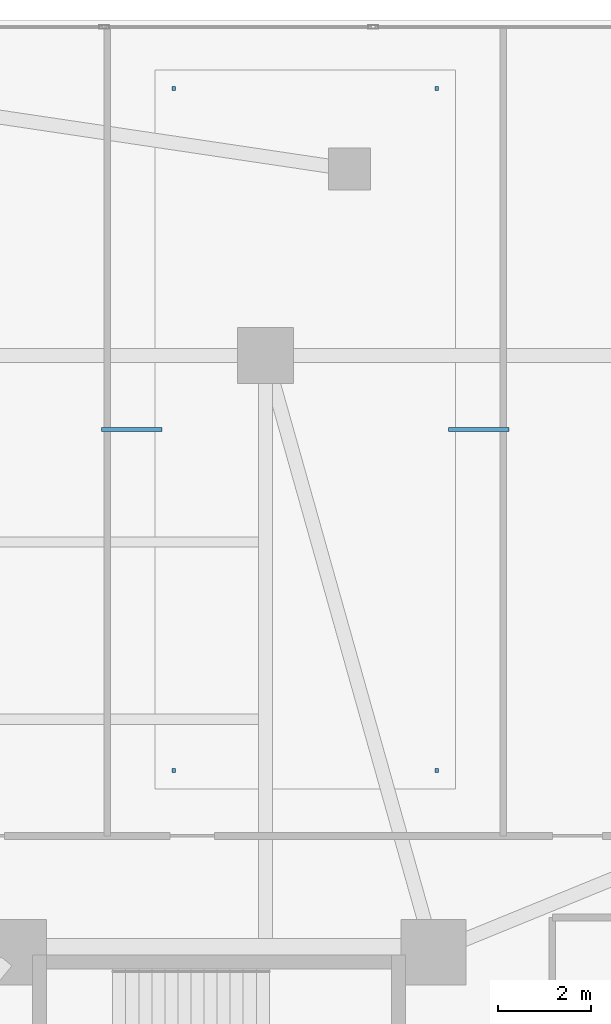
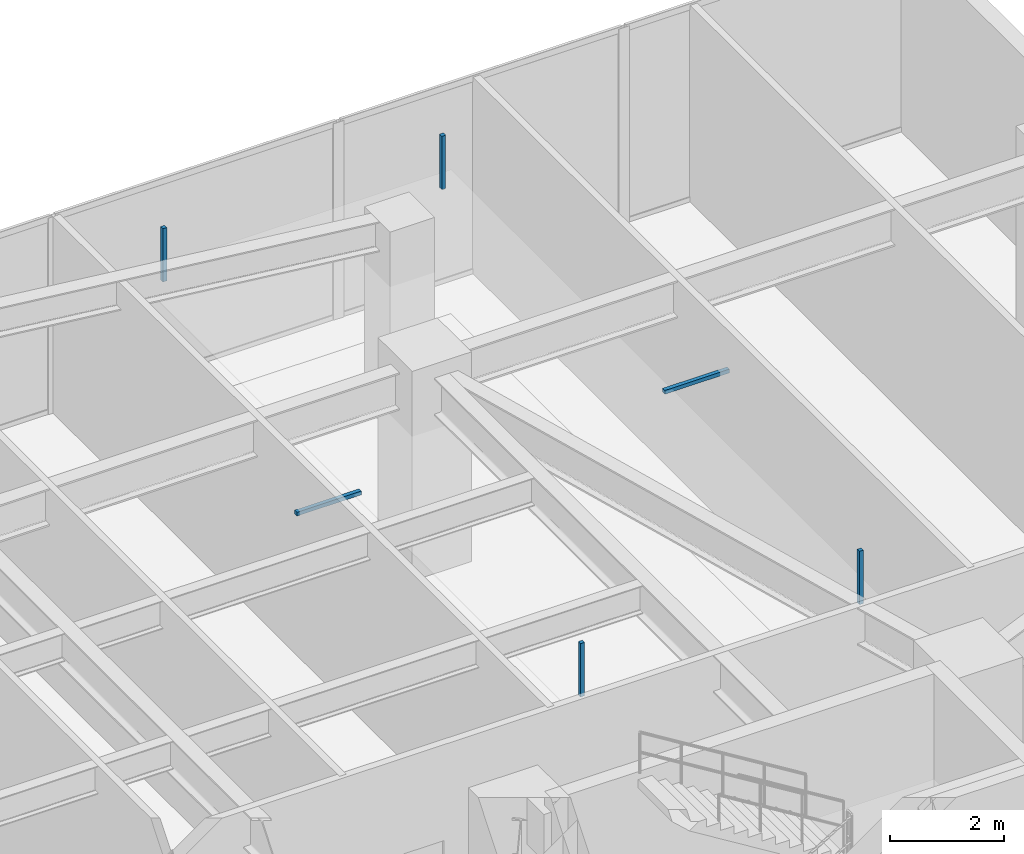
# One storey, part 18 of 22: 6 discrete accessories.
"""IFC4 building model written with IfcOpenShell, lengths in metres."""

import ifcopenshell
import ifcopenshell.guid

model = None  # the IFC model being written
_history = None  # IfcOwnerHistory: only IFC2X3 demands one
_inside = {}  # id of a spatial element -> (the spatial element, [elements in it])
_under = {}  # id of a project, library or spatial element -> (it, [spatial elements below it])
_declared = {}  # id of a project -> (the project, [libraries it declares])
_typed = {}  # id of a type object -> (the type object, [elements of that type])
_made_of = {}  # id of a material, layer set ... -> (it, [elements and type objects made of it])


def new_model(schema):
    """Start an empty IFC model of exactly this schema.

    Asked for "IFC4X3", IfcOpenShell would pick the latest addendum, in which some entities
    have other attributes; the version numbers below select the first issue.
    IFC2X3 requires an IfcOwnerHistory on every rooted entity: one is made here for all.
    """
    global model, _history
    if schema == "IFC4X3":
        model = ifcopenshell.file(schema_version=(4, 3, 0, 0))
    else:
        model = ifcopenshell.file(schema=schema)
    _inside.clear()
    _under.clear()
    _declared.clear()
    _typed.clear()
    _made_of.clear()
    _history = None
    if model.schema == "IFC2X3":
        org = make("IfcOrganization", Name="unknown")
        user = make(
            "IfcPersonAndOrganization",
            ThePerson=make("IfcPerson", FamilyName="unknown"),
            TheOrganization=org,
        )
        app = make(
            "IfcApplication",
            ApplicationDeveloper=org,
            Version="unknown",
            ApplicationFullName="unknown",
            ApplicationIdentifier="unknown",
        )
        _history = make(
            "IfcOwnerHistory",
            OwningUser=user,
            OwningApplication=app,
            ChangeAction="ADDED",
            CreationDate=0,
        )
    return model


def make(cls, **values):
    """One entity of the class cls with the attributes given. An attribute that is None is left unset."""
    return model.create_entity(
        cls, **{name: value for name, value in values.items() if value is not None}
    )


def rooted(cls, **values):
    """An entity with a GlobalId (a new one), such as an element, a storey or a relation."""
    return make(cls, GlobalId=ifcopenshell.guid.new(), OwnerHistory=_history, **values)


def si_unit(unit_type, name, prefix=None):
    """IfcSIUnit, for example si_unit("LENGTHUNIT", "METRE", prefix="MILLI")."""
    return make("IfcSIUnit", UnitType=unit_type, Prefix=prefix, Name=name)


def assignment(units):
    """IfcUnitAssignment: the units of a project."""
    return None if units is None else make("IfcUnitAssignment", Units=units)


def point(xyz):
    """IfcCartesianPoint."""
    return None if xyz is None else make("IfcCartesianPoint", Coordinates=xyz)


def direction(xyz):
    """IfcDirection."""
    return None if xyz is None else make("IfcDirection", DirectionRatios=xyz)


def frame(location, z_axis=None, x_axis=None):
    """IfcAxis2Placement3D, a coordinate frame: its origin and axes. An axis left out is left unset."""
    return make(
        "IfcAxis2Placement3D",
        Location=point(location),
        Axis=direction(z_axis),
        RefDirection=direction(x_axis),
    )


def frame_2d(location, x_axis=None):
    """IfcAxis2Placement2D, a coordinate frame in the plane: its origin and x axis."""
    return make(
        "IfcAxis2Placement2D", Location=point(location), RefDirection=direction(x_axis)
    )


def origin():
    """The frame at (0, 0, 0) with its axes left unset."""
    return frame((0.0, 0.0, 0.0))


def origin_2d():
    """The frame at (0, 0) in the plane with its x axis left unset."""
    return frame_2d((0.0, 0.0))


def place(relative_to, where):
    """IfcLocalPlacement: puts the frame where relative to a parent placement (None: the world)."""
    return make(
        "IfcLocalPlacement", PlacementRelTo=relative_to, RelativePlacement=where
    )


def context(
    kind, dimensions, precision=None, world=None, true_north=None, identifier=None
):
    """IfcGeometricRepresentationContext, for example the 3D "Model" context."""
    return make(
        "IfcGeometricRepresentationContext",
        ContextIdentifier=identifier,
        ContextType=kind,
        CoordinateSpaceDimension=dimensions,
        Precision=precision,
        WorldCoordinateSystem=world,
        TrueNorth=true_north,
    )


def subcontext(parent, identifier, kind, view, scale=None):
    """IfcGeometricRepresentationSubContext, for example "Body" below "Model"."""
    return make(
        "IfcGeometricRepresentationSubContext",
        ContextIdentifier=identifier,
        ContextType=kind,
        ParentContext=parent,
        TargetScale=scale,
        TargetView=view,
    )


def project(units=None, contexts=None):
    """IfcProject with its units and contexts."""
    return rooted(
        "IfcProject",
        Name="project",
        RepresentationContexts=contexts,
        UnitsInContext=assignment(units),
    )


def spatial(cls, under=None, at=None, **own):
    """A site, building, storey or space (cls), placed at a placement, below another one or the project."""
    s = rooted(cls, ObjectPlacement=at, **own)
    if under is not None:
        _under.setdefault(under.id(), (under, []))[1].append(s)
    return s


def profile(cls, at=None, kind="AREA", **sizes):
    """A parametric profile (cls). Its sizes go by their IFC names, for example OverallWidth=200.0."""
    return make(cls, ProfileType=kind, Position=at, **sizes)


def rectangle(**sizes):
    """IfcRectangleProfileDef."""
    return profile("IfcRectangleProfileDef", **sizes)


def extrude(swept, where, along, depth):
    """IfcExtrudedAreaSolid: the profile swept, set in the frame where, extruded along a direction by depth."""
    return make(
        "IfcExtrudedAreaSolid",
        SweptArea=swept,
        Position=where,
        ExtrudedDirection=direction(along),
        Depth=depth,
    )


def shape(context_of_items, identifier, shape_type, items):
    """IfcShapeRepresentation: the items that make up one representation, for example the "Body"."""
    return make(
        "IfcShapeRepresentation",
        ContextOfItems=context_of_items,
        RepresentationIdentifier=identifier,
        RepresentationType=shape_type,
        Items=items,
    )


def material(Name=None, Category=None):
    """IfcMaterial."""
    return make("IfcMaterial", Name=Name, Category=Category)


def made_of(thing, what):
    """Note that an element or type object is made of a material, layer set ...; save() writes the relation."""
    if what is not None:
        _made_of.setdefault(what.id(), (what, []))[1].append(thing)
    return thing


def type_object(cls, material=None, **own):
    """A type object (cls), such as IfcWallType, which elements share."""
    return made_of(rooted(cls, **own), material)


def element(
    cls,
    number,
    at=None,
    inside=None,
    cuts=None,
    type_object=None,
    material=None,
    context=None,
    identifier="Body",
    shape_type=None,
    held_by="IfcProductDefinitionShape",
    body=None,
    shapes=None,
    **own,
):
    """One element of the class cls, such as IfcWall. Its Tag is "e" and its number.

    at: its placement. inside: the storey or other place that contains it. cuts: it is an
    opening in that element (IfcRelVoidsElement). A single representation is given by context,
    identifier, shape_type and body (its items); several are given by shapes. held_by: the class
    of the entity that holds the representations. save() writes the other relations.
    """
    e = rooted(cls, Tag="e%d" % number, ObjectPlacement=at, **own)
    if body is not None:
        shapes = [shape(context, identifier, shape_type, body)]
    if shapes is not None:
        e.Representation = make(held_by, Representations=shapes)
    if inside is not None:
        _inside.setdefault(inside.id(), (inside, []))[1].append(e)
    if cuts is not None:
        rooted(
            "IfcRelVoidsElement", RelatingBuildingElement=cuts, RelatedOpeningElement=e
        )
    if type_object is not None:
        _typed.setdefault(type_object.id(), (type_object, []))[1].append(e)
    return made_of(e, material)


def aggregate(whole, parts):
    """IfcRelAggregates: a whole, such as a stair, and the parts it consists of."""
    return rooted("IfcRelAggregates", RelatingObject=whole, RelatedObjects=parts)


def save(model, path):
    """Write the relations noted so far, then the file.

    IfcRelAggregates (storeys below a building ...), IfcRelContainedInSpatialStructure (elements
    in a storey), IfcRelDefinesByType, IfcRelAssociatesMaterial and IfcRelDeclares: one each for
    every whole, place, type object, material and project.
    """
    for whole, parts in _under.values():
        aggregate(whole, parts)
    for where, things in _inside.values():
        rooted(
            "IfcRelContainedInSpatialStructure",
            RelatedElements=things,
            RelatingStructure=where,
        )
    for kind, things in _typed.values():
        rooted("IfcRelDefinesByType", RelatedObjects=things, RelatingType=kind)
    for what, things in _made_of.values():
        rooted("IfcRelAssociatesMaterial", RelatedObjects=things, RelatingMaterial=what)
    for by, libraries in _declared.values():
        rooted("IfcRelDeclares", RelatingContext=by, RelatedDefinitions=libraries)
    model.write(path)


model = new_model("IFC4")

# Units and contexts
model_context = context("Model", 3, precision=1e-05, world=origin(), true_north=direction((0.0, 1.0)))
body_context = subcontext(model_context, "Body", "Model", "MODEL_VIEW")
ifc_project = project(units=[si_unit("LENGTHUNIT", "METRE"), si_unit("AREAUNIT", "SQUARE_METRE"), si_unit("VOLUMEUNIT", "CUBIC_METRE"), si_unit("PLANEANGLEUNIT", "RADIAN"), si_unit("MASSUNIT", "GRAM", prefix="KILO")], contexts=[model_context])

# Site, building, storey
site_placement = place(None, origin())
site = spatial("IfcSite", under=ifc_project, at=site_placement, CompositionType="ELEMENT")
building_placement = place(site_placement, origin())
building = spatial("IfcBuilding", under=site, at=building_placement, Name="Tarnavaz Court Tower", CompositionType="ELEMENT")
storey_placement = place(building_placement, frame((0.0, 0.0, 14.39990234375)))
storey = spatial("IfcBuildingStorey", under=building, at=storey_placement, Name="L03", CompositionType="ELEMENT", Elevation=14.39990234375)

# Discrete accessories
ifc_material = material(Name="Anodised Aluminium 6063-T6", Category="aluminium")
discrete_accessory_type = type_object("IfcDiscreteAccessoryType", Name="DA-BRKT-ALU", PredefinedType="BRACKET", material=ifc_material)
for number, where, z_axis, x_axis, name in (
    (1, (13.030029296875, 13.89990234375, 3.09033203125), (0.0, 0.0, 1.0), (1.0, 0.0, 0.0), "L03 Ceiling Suspension Hanger Bracket 02-1"),
    (2, (18.669921875, 13.89990234375, 3.09033203125), (0.0, 0.0, 1.0), (1.0, 0.0, 0.0), "L03 Ceiling Suspension Hanger Bracket 02-2"),
    (3, (18.669921875, 28.530029296875, 3.09033203125), (0.0, 0.0, 1.0), (1.0, 0.0, 0.0), "L03 Ceiling Suspension Hanger Bracket 02-3"),
    (4, (13.030029296875, 28.530029296875, 3.09033203125), (0.0, 0.0, 1.0), (1.0, 0.0, 0.0), "L03 Ceiling Suspension Hanger Bracket 02-4"),
):
    element("IfcDiscreteAccessory", number, at=place(storey_placement, frame(where, z_axis=z_axis, x_axis=x_axis)), inside=storey, type_object=discrete_accessory_type, Name=name, PredefinedType="BRACKET", context=body_context, shape_type="SweptSolid", body=[
        extrude(rectangle(XDim=0.080078125, YDim=0.080078125, at=origin_2d()), origin(), (0.0, 0.0, 1.0), 1.139892578125),
    ])
for number, where, z_axis, x_axis, name in (
    (5, (12.1298828125, 21.215087890625, 3.052490234375), (0.0, 0.0, 1.0), (1.0, 0.0, 0.0), "L03 Ceiling Perimeter Wall-Tie Bracket 02-1"),
    (6, (19.570068359375, 21.215087890625, 3.052490234375), (0.0, 0.0, 1.0), (1.0, 0.0, 0.0), "L03 Ceiling Perimeter Wall-Tie Bracket 02-2"),
):
    element("IfcDiscreteAccessory", number, at=place(storey_placement, frame(where, z_axis=z_axis, x_axis=x_axis)), inside=storey, type_object=discrete_accessory_type, Name=name, PredefinedType="BRACKET", context=body_context, shape_type="SweptSolid", body=[
        extrude(rectangle(XDim=1.300048828125, YDim=0.080078125, at=origin_2d()), origin(), (0.0, 0.0, 1.0), 0.080078125),
    ])

save(model, "model.ifc")
